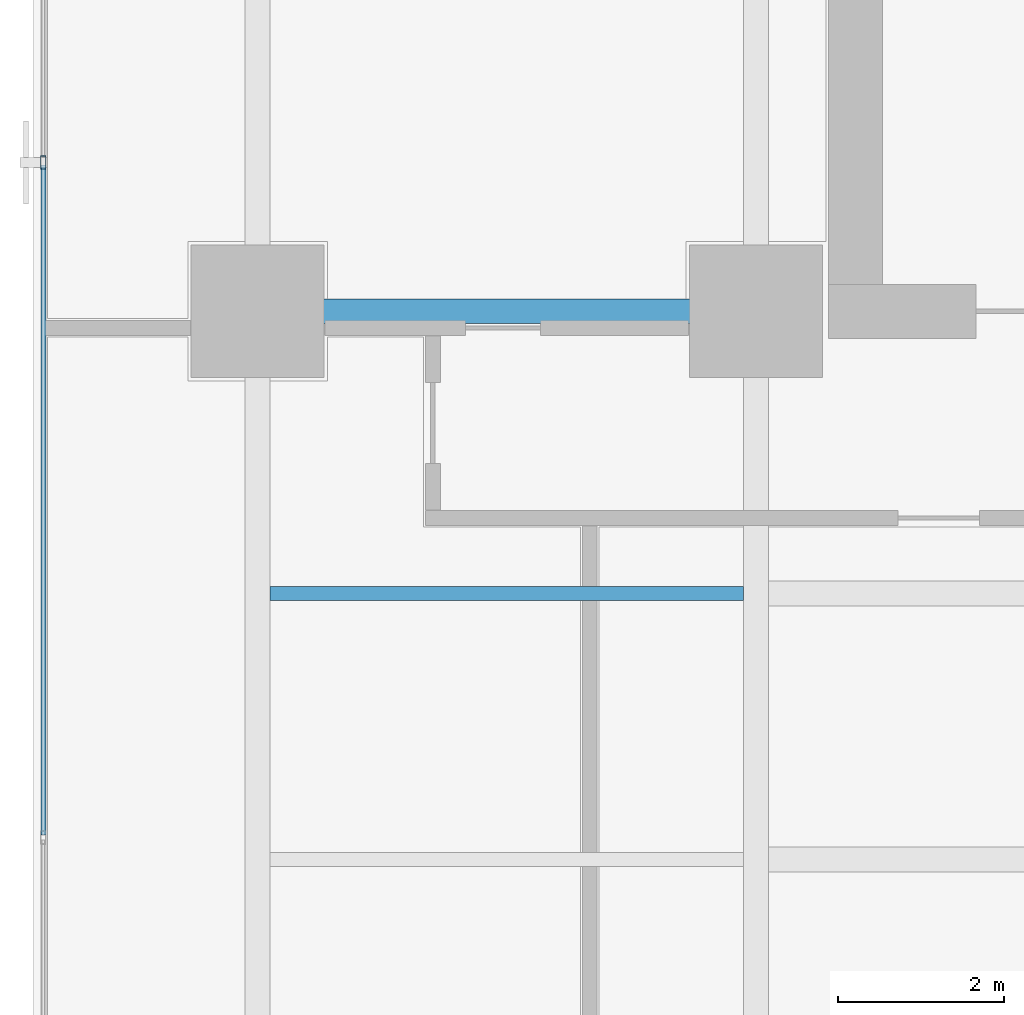
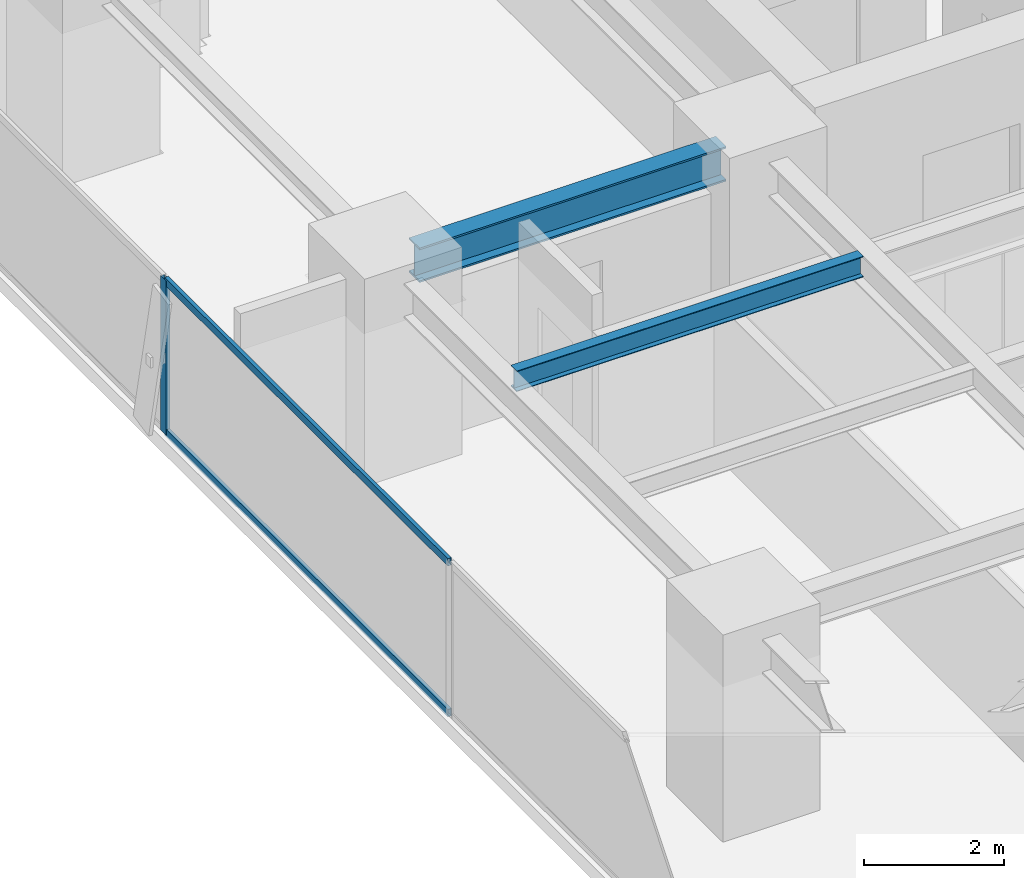
# One storey, part 17 of 36: 3 members, 2 beams, 1 element without a shape of its own.
"""IFC4 building model written with IfcOpenShell, lengths in metres."""

from ifc_helpers import new_model, si_unit, direction, frame, origin, origin_2d, place, context, subcontext, project, spatial, hollow_rectangle, i_section, extrude, source, transform, mapped, material, layer, layer_set, material_profile, profile_set, type_object, element, aggregate, save


model = new_model("IFC4")

# Units and contexts
model_context = context("Model", 3, precision=1e-05, world=origin(), true_north=direction((0.0, 1.0)))
body_context = subcontext(model_context, "Body", "Model", "MODEL_VIEW")
ifc_project = project(units=[si_unit("LENGTHUNIT", "METRE"), si_unit("AREAUNIT", "SQUARE_METRE"), si_unit("VOLUMEUNIT", "CUBIC_METRE"), si_unit("PLANEANGLEUNIT", "RADIAN"), si_unit("MASSUNIT", "GRAM", prefix="KILO")], contexts=[model_context])

# Site, building, storey
site_placement = place(None, origin())
site = spatial("IfcSite", under=ifc_project, at=site_placement, CompositionType="ELEMENT")
building_placement = place(site_placement, origin())
building = spatial("IfcBuilding", under=site, at=building_placement, Name="Sumidabori Civic Tower", CompositionType="ELEMENT")
storey_placement = place(building_placement, frame((0.0, 0.0, 120.800048828125)))
storey = spatial("IfcBuildingStorey", under=building, at=storey_placement, Name="L31", CompositionType="ELEMENT", Elevation=120.800048828125)

# Beams
ifc_material_1 = material(Name="Steel SN490", Category="steel")
ifc_material_profile_1 = material_profile(ifc_material_1, i_section(OverallWidth=0.300048828125, OverallDepth=0.60009765625, WebThickness=0.015380859375, FlangeThickness=0.030029296875, at=origin_2d()), Name="HE 600 B")
ifc_profile_set_1 = profile_set([ifc_material_profile_1], Name="Steel SN490")
beam_type_1 = type_object("IfcBeamType", Name="BM-GIRD-600", PredefinedType="BEAM", material=ifc_profile_set_1)
shared_shape_1 = source(origin(), body_context, "Body", "SweptSolid", [
    extrude(i_section(OverallWidth=0.300048828125, OverallDepth=0.60009765625, WebThickness=0.015380859375, FlangeThickness=0.030029296875, at=origin_2d()), origin(), (0.0, 0.0, 1.0), 5.0400390625),
])
beam_1_placement = place(storey_placement, frame((-22.320068359375, 10.199951171875, 3.0), z_axis=(1.0, 0.0, 0.0), x_axis=(0.0, 1.0, 0.0)))
element("IfcBeam", 1, at=beam_1_placement, inside=storey, type_object=beam_type_1, Name="Primary Girder L31 GX-19", PredefinedType="BEAM", context=body_context, shape_type="MappedRepresentation", body=[
    mapped(shared_shape_1, transform((0.0, 0.0, 0.0), x_axis=(1.0, 0.0, 0.0), y_axis=(0.0, 1.0, 0.0), z_axis=(0.0, 0.0, 1.0), scale=1.0)),
])
ifc_material_profile_2 = material_profile(ifc_material_1, i_section(OverallWidth=0.169921875, OverallDepth=0.360107421875, WebThickness=0.008056640625, FlangeThickness=0.0126953125, at=origin_2d()), Name="IPE 360")
ifc_profile_set_2 = profile_set([ifc_material_profile_2], Name="Steel SN490")
beam_type_2 = type_object("IfcBeamType", Name="BM-JST-360", PredefinedType="JOIST", material=ifc_profile_set_2)
shared_shape_2 = source(origin(), body_context, "Body", "SweptSolid", [
    extrude(i_section(OverallWidth=0.169921875, OverallDepth=0.360107421875, WebThickness=0.008056640625, FlangeThickness=0.0126953125, at=origin_2d()), origin(), (0.0, 0.0, 1.0), 5.699951171875),
])
beam_2_placement = place(storey_placement, frame((-22.64990234375, 6.800048828125, 3.119873046875), z_axis=(1.0, 0.0, 0.0), x_axis=(0.0, 1.0, 0.0)))
element("IfcBeam", 2, at=beam_2_placement, inside=storey, type_object=beam_type_2, Name="Outer Bay Floor Joist L31 JSTO-49", PredefinedType="JOIST", context=body_context, shape_type="MappedRepresentation", body=[
    mapped(shared_shape_2, transform((0.0, 0.0, 0.0), x_axis=(1.0, 0.0, 0.0), y_axis=(0.0, 1.0, 0.0), z_axis=(0.0, 0.0, 1.0), scale=1.0)),
])

# Curtain wall, members
ifc_material_2 = material(Name="Anodised Bronze Aluminium AW-6063-T6", Category="aluminium")
ifc_layer = layer(ifc_material_2, 0.179931640625, Name="Anodised Bronze Aluminium AW-6063-T6")
ifc_layer_set = layer_set([ifc_layer], Name="Anodised Bronze Aluminium AW-6063-T6")
curtain_wall_type = type_object("IfcCurtainWallType", Name="CW-SYS-3", PredefinedType="NOTDEFINED", material=ifc_layer_set)
curtain_wall_placement = place(storey_placement, origin())
curtain_wall = element("IfcCurtainWall", 3, at=curtain_wall_placement, inside=storey, type_object=curtain_wall_type, Name="Curtain Wall CW:L31:R10", PredefinedType="NOTDEFINED")
ifc_material_profile_3 = material_profile(ifc_material_2, hollow_rectangle(XDim=0.06005859375, YDim=0.1298828125, WallThickness=0.0048828125, at=origin_2d()), Name="ALU TRANSOM 130x60")
ifc_profile_set_3 = profile_set([ifc_material_profile_3], Name="Anodised Bronze Aluminium AW-6063-T6")
member_type_1 = type_object("IfcMemberType", Name="CW-TRN-130", PredefinedType="USERDEFINED", material=ifc_profile_set_3)
shared_shape_3 = source(origin(), body_context, "Body", "SweptSolid", [
    extrude(hollow_rectangle(XDim=0.06005859375, YDim=0.1298828125, WallThickness=0.0048828125, at=origin_2d()), origin(), (0.0, 0.0, 1.0), 8.06298828125),
])
member_1_placement = place(storey_placement, frame((-25.3798828125, 11.95947265625, 0.030029296875), z_axis=(0.0, -1.0, 0.0), x_axis=(1.0, 0.0, 0.0)))
member_1 = element("IfcMember", 4, at=member_1_placement, type_object=member_type_1, Name="CW-3 transom 2.1", ObjectType="TRANSOM", PredefinedType="USERDEFINED", context=body_context, shape_type="MappedRepresentation", body=[
    mapped(shared_shape_3, transform((0.0, 0.0, 0.0), x_axis=(1.0, 0.0, 0.0), y_axis=(0.0, 1.0, 0.0), z_axis=(0.0, 0.0, 1.0), scale=1.0)),
])
member_2_placement = place(storey_placement, frame((-25.3798828125, 11.95947265625, 2.64990234375), z_axis=(0.0, -1.0, 0.0), x_axis=(1.0, 0.0, 0.0)))
member_2 = element("IfcMember", 5, at=member_2_placement, type_object=member_type_1, Name="CW-3 transom 2.2", ObjectType="TRANSOM", PredefinedType="USERDEFINED", context=body_context, shape_type="MappedRepresentation", body=[
    mapped(shared_shape_3, transform((0.0, 0.0, 0.0), x_axis=(1.0, 0.0, 0.0), y_axis=(0.0, 1.0, 0.0), z_axis=(0.0, 0.0, 1.0), scale=1.0)),
])
ifc_material_profile_4 = material_profile(ifc_material_2, hollow_rectangle(XDim=0.06494140625, YDim=0.159912109375, WallThickness=0.0048828125, at=origin_2d()), Name="ALU MULLION 160x65")
ifc_profile_set_4 = profile_set([ifc_material_profile_4], Name="Anodised Bronze Aluminium AW-6063-T6")
member_type_2 = type_object("IfcMemberType", Name="CW-MUL-160", PredefinedType="MULLION", material=ifc_profile_set_4)
shared_shape_4 = source(origin(), body_context, "Body", "SweptSolid", [
    extrude(hollow_rectangle(XDim=0.06494140625, YDim=0.159912109375, WallThickness=0.0048828125, at=origin_2d()), origin(), (0.0, 0.0, 1.0), 2.679931640625),
])
member_3_placement = place(storey_placement, frame((-25.3798828125, 11.991943359375, 0.0), z_axis=(0.0, 0.0, 1.0), x_axis=(1.0, 0.0, 0.0)))
member_3 = element("IfcMember", 6, at=member_3_placement, type_object=member_type_2, Name="CW-3 mullion 2", PredefinedType="MULLION", context=body_context, shape_type="MappedRepresentation", body=[
    mapped(shared_shape_4, transform((0.0, 0.0, 0.0), x_axis=(1.0, 0.0, 0.0), y_axis=(0.0, 1.0, 0.0), z_axis=(0.0, 0.0, 1.0), scale=1.0)),
])
aggregate(curtain_wall, [member_3, member_1, member_2])

save(model, "model.ifc")
